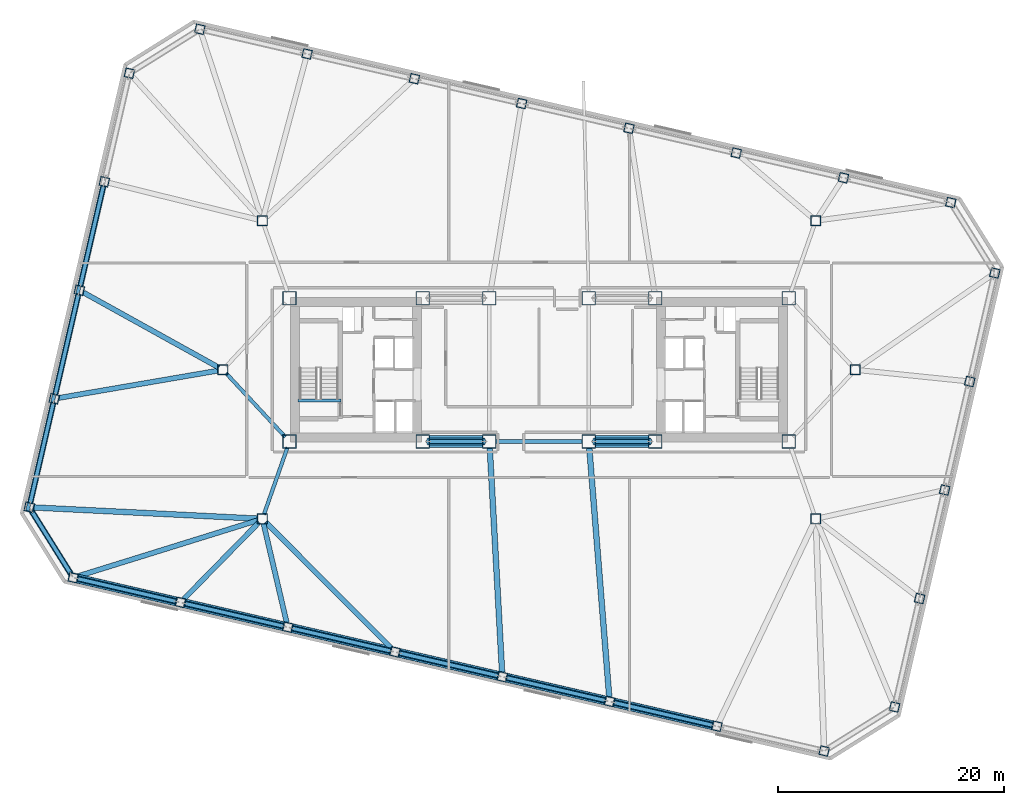
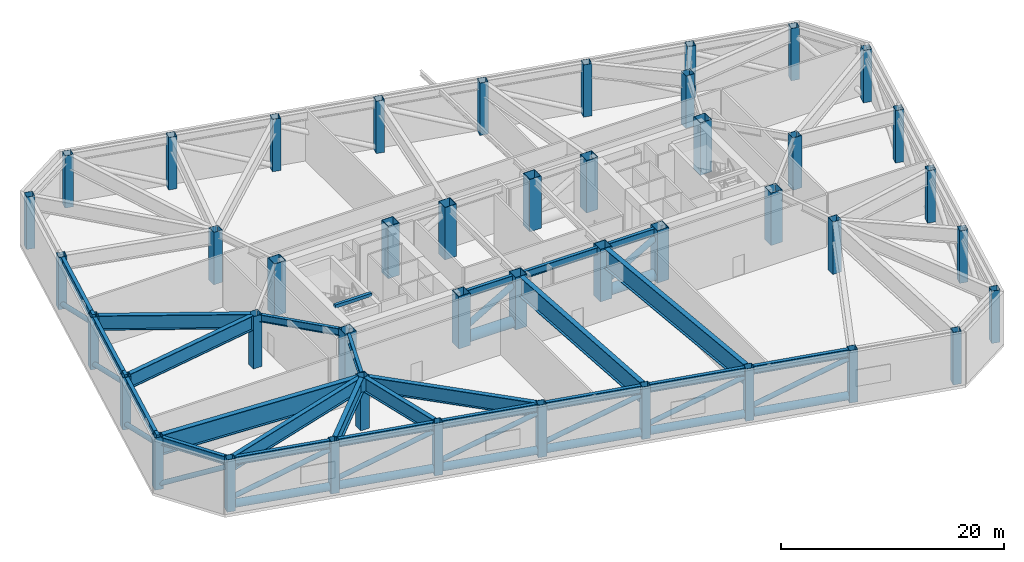
# One storey, part 1 of 15: 44 columns, 25 beams, 23 members.
"""IFC4 building model written with IfcOpenShell, lengths in metres."""

from ifc_helpers import new_model, si_unit, direction, frame, origin, origin_2d, place, context, subcontext, project, spatial, rectangle, hollow_rectangle, hollow_circle, i_section, extrude, material, material_profile, profile_set, type_object, element, save


model = new_model("IFC4")

# Units and contexts
model_context = context("Model", 3, precision=1e-05, world=origin(), true_north=direction((0.0, 1.0)))
body_context = subcontext(model_context, "Body", "Model", "MODEL_VIEW")
ifc_project = project(units=[si_unit("LENGTHUNIT", "METRE"), si_unit("AREAUNIT", "SQUARE_METRE"), si_unit("VOLUMEUNIT", "CUBIC_METRE"), si_unit("PLANEANGLEUNIT", "RADIAN"), si_unit("MASSUNIT", "GRAM", prefix="KILO")], contexts=[model_context])

# Site, building, storey
site_placement = place(None, origin())
site = spatial("IfcSite", under=ifc_project, at=site_placement, CompositionType="ELEMENT")
building_placement = place(site_placement, origin())
building = spatial("IfcBuilding", under=site, at=building_placement, Name="Tavrogorsk Clinical Tower", CompositionType="ELEMENT")
storey_placement = place(building_placement, frame((0.0, 0.0, 33.39990234375)))
storey = spatial("IfcBuildingStorey", under=building, at=storey_placement, Name="L06", CompositionType="ELEMENT", Elevation=33.39990234375)

# Columns
ifc_material_1 = material(Name="Structural steel S440", Category="steel")
ifc_material_profile_1 = material_profile(ifc_material_1, hollow_rectangle(XDim=1.199951171875, YDim=1.199951171875, WallThickness=0.050048828125, at=origin_2d()), Name="BOX-1200x1200x50")
ifc_profile_set_1 = profile_set([ifc_material_profile_1], Name="Structural steel S440")
column_type_1 = type_object("IfcColumnType", Name="MegaCol_BOX1200", PredefinedType="COLUMN", material=ifc_profile_set_1)
for number, where, z_axis, x_axis, name in (
    (1, (-22.10009765625, -6.35009765625, 0.0), (0.0, 0.0, 1.0), (1.0, 0.0, 0.0), "L06 Mega Column MC-W1"),
    (2, (-22.10009765625, 6.35009765625, 0.0), (0.0, 0.0, 1.0), (1.0, 0.0, 0.0), "L06 Mega Column MC-W2"),
    (3, (-10.300048828125, -6.35009765625, 0.0), (0.0, 0.0, 1.0), (1.0, 0.0, 0.0), "L06 Mega Column MC-W3"),
    (4, (-10.300048828125, 6.35009765625, 0.0), (0.0, 0.0, 1.0), (1.0, 0.0, 0.0), "L06 Mega Column MC-W4"),
    (5, (10.300048828125, -6.35009765625, 0.0), (0.0, 0.0, 1.0), (1.0, 0.0, 0.0), "L06 Mega Column MC-E1"),
    (6, (10.300048828125, 6.35009765625, 0.0), (0.0, 0.0, 1.0), (1.0, 0.0, 0.0), "L06 Mega Column MC-E2"),
    (7, (22.10009765625, -6.35009765625, 0.0), (0.0, 0.0, 1.0), (1.0, 0.0, 0.0), "L06 Mega Column MC-E3"),
    (8, (22.10009765625, 6.35009765625, 0.0), (0.0, 0.0, 1.0), (1.0, 0.0, 0.0), "L06 Mega Column MC-E4"),
    (9, (-4.39990234375, -6.35009765625, 0.0), (0.0, 0.0, 1.0), (1.0, 0.0, 0.0), "L06 Mega Column MC-C1"),
    (10, (4.39990234375, -6.35009765625, 0.0), (0.0, 0.0, 1.0), (1.0, 0.0, 0.0), "L06 Mega Column MC-C2"),
    (11, (-4.39990234375, 6.35009765625, 0.0), (0.0, 0.0, 1.0), (1.0, 0.0, 0.0), "L06 Mega Column MC-C3"),
    (12, (4.39990234375, 6.35009765625, 0.0), (0.0, 0.0, 1.0), (1.0, 0.0, 0.0), "L06 Mega Column MC-C4"),
):
    element("IfcColumn", number, at=place(storey_placement, frame(where, z_axis=z_axis, x_axis=x_axis)), inside=storey, type_object=column_type_1, Name=name, PredefinedType="COLUMN", context=body_context, shape_type="SweptSolid", body=[
        extrude(hollow_rectangle(XDim=1.199951171875, YDim=1.199951171875, WallThickness=0.050048828125, at=origin_2d()), origin(), (0.0, 0.0, 1.0), 5.739990234375),
    ])
ifc_material_2 = material(Name="Structural steel S440", Category="steel")
ifc_material_profile_2 = material_profile(ifc_material_2, hollow_rectangle(XDim=0.89990234375, YDim=0.89990234375, WallThickness=0.0400390625, at=origin_2d()), Name="BOX-900x900x40")
ifc_profile_set_2 = profile_set([ifc_material_profile_2], Name="Structural steel S440")
column_type_2 = type_object("IfcColumnType", Name="MegaCol_BOX900", PredefinedType="COLUMN", material=ifc_profile_set_2)
for number, where, z_axis, x_axis, name in (
    (13, (-24.5, -13.199951171875, 0.0), (0.0, 0.0, 1.0), (1.0, 0.0, 0.0), "L06 Spine Pilotis Column MC-P1"),
    (14, (24.5, -13.199951171875, 0.0), (0.0, 0.0, 1.0), (1.0, 0.0, 0.0), "L06 Spine Pilotis Column MC-P2"),
    (15, (-24.5, 13.199951171875, 0.0), (0.0, 0.0, 1.0), (1.0, 0.0, 0.0), "L06 Spine Pilotis Column MC-P3"),
    (16, (24.5, 13.199951171875, 0.0), (0.0, 0.0, 1.0), (1.0, 0.0, 0.0), "L06 Spine Pilotis Column MC-P4"),
    (17, (-28.0, 0.0, 0.0), (0.0, 0.0, 1.0), (1.0, 0.0, 0.0), "L06 Spine Pilotis Column MC-P5"),
    (18, (28.0, 0.0, 0.0), (0.0, 0.0, 1.0), (1.0, 0.0, 0.0), "L06 Spine Pilotis Column MC-P6"),
):
    element("IfcColumn", number, at=place(storey_placement, frame(where, z_axis=z_axis, x_axis=x_axis)), inside=storey, type_object=column_type_2, Name=name, PredefinedType="COLUMN", context=body_context, shape_type="SweptSolid", body=[
        extrude(hollow_rectangle(XDim=0.89990234375, YDim=0.89990234375, WallThickness=0.0400390625, at=origin_2d()), origin(), (0.0, 0.0, 1.0), 5.739990234375),
    ])
ifc_material_3 = material(Name="Structural steel S440", Category="steel")
ifc_material_profile_3 = material_profile(ifc_material_3, hollow_rectangle(XDim=0.800048828125, YDim=0.800048828125, WallThickness=0.035888671875, at=origin_2d()), Name="BOX-800x800x36")
ifc_profile_set_3 = profile_set([ifc_material_profile_3], Name="Structural steel S440")
column_type_3 = type_object("IfcColumnType", Name="PerimCol_B1_BOX800", PredefinedType="COLUMN", material=ifc_profile_set_3)
for number, where, z_axis, x_axis, name in (
    (19, (-41.251220703125, -18.406005859375, 0.0), (0.0, 0.0, 1.0), (0.974370064785, -0.224951054344, 0.0), "L06 Perimeter Column S1"),
    (20, (-31.75244140625, -20.598876953125, 0.0), (0.0, 0.0, 1.0), (0.974370064785, -0.224951054344, 0.0), "L06 Perimeter Column S2"),
    (21, (-22.25390625, -22.7919921875, 0.0), (0.0, 0.0, 1.0), (0.974370064785, -0.224951054344, 0.0), "L06 Perimeter Column S3"),
    (22, (-12.755126953125, -24.98486328125, 0.0), (0.0, 0.0, 1.0), (0.974370064785, -0.224951054344, 0.0), "L06 Perimeter Column S4"),
    (23, (-3.25634765625, -27.177734375, 0.0), (0.0, 0.0, 1.0), (0.974370064785, -0.224951054344, 0.0), "L06 Perimeter Column S5"),
    (24, (6.2421875, -29.37060546875, 0.0), (0.0, 0.0, 1.0), (0.974370064785, -0.224951054344, 0.0), "L06 Perimeter Column S6"),
    (25, (15.740966796875, -31.563720703125, 0.0), (0.0, 0.0, 1.0), (0.974370064785, -0.224951054344, 0.0), "L06 Perimeter Column S7"),
    (26, (25.23974609375, -33.756591796875, 0.0), (0.0, 0.0, 1.0), (0.974370064785, -0.224951054344, 0.0), "L06 Perimeter Column S8"),
    (27, (36.451416015625, 14.805908203125, 0.0), (0.0, 0.0, 1.0), (0.974370064785, -0.224951054344, 0.0), "L06 Perimeter Column N1"),
    (28, (26.952392578125, 16.998779296875, 0.0), (0.0, 0.0, 1.0), (0.974370064785, -0.224951054344, 0.0), "L06 Perimeter Column N2"),
    (29, (17.453857421875, 19.19189453125, 0.0), (0.0, 0.0, 1.0), (0.974370064785, -0.224951054344, 0.0), "L06 Perimeter Column N3"),
    (30, (7.955078125, 21.384765625, 0.0), (0.0, 0.0, 1.0), (0.974370064785, -0.224951054344, 0.0), "L06 Perimeter Column N4"),
    (31, (-1.543701171875, 23.577880859375, 0.0), (0.0, 0.0, 1.0), (0.974370064785, -0.224951054344, 0.0), "L06 Perimeter Column N5"),
    (32, (-11.042236328125, 25.770751953125, 0.0), (0.0, 0.0, 1.0), (0.974370064785, -0.224951054344, 0.0), "L06 Perimeter Column N6"),
    (33, (-20.541015625, 27.963623046875, 0.0), (0.0, 0.0, 1.0), (0.974370064785, -0.224951054344, 0.0), "L06 Perimeter Column N7"),
    (34, (-30.039794921875, 30.156494140625, 0.0), (0.0, 0.0, 1.0), (0.974370064785, -0.224951054344, 0.0), "L06 Perimeter Column N8"),
    (35, (31.476318359375, -29.859619140625, 0.0), (0.0, 0.0, 1.0), (0.974370064785, -0.224951054344, 0.0), "L06 Perimeter Column E1"),
    (36, (33.694091796875, -20.25244140625, 0.0), (0.0, 0.0, 1.0), (0.974370064785, -0.224951054344, 0.0), "L06 Perimeter Column E2"),
    (37, (35.912109375, -10.64501953125, 0.0), (0.0, 0.0, 1.0), (0.974370064785, -0.224951054344, 0.0), "L06 Perimeter Column E3"),
    (38, (38.130126953125, -1.037841796875, 0.0), (0.0, 0.0, 1.0), (0.974370064785, -0.224951054344, 0.0), "L06 Perimeter Column E4"),
    (39, (40.348388671875, 8.569580078125, 0.0), (0.0, 0.0, 1.0), (0.974370064785, -0.224951054344, 0.0), "L06 Perimeter Column E5"),
    (40, (-36.276123046875, 26.259765625, 0.0), (0.0, 0.0, 1.0), (0.974370064785, -0.224951054344, 0.0), "L06 Perimeter Column W1"),
    (41, (-38.494140625, 16.65234375, 0.0), (0.0, 0.0, 1.0), (0.974370064785, -0.224951054344, 0.0), "L06 Perimeter Column W2"),
    (42, (-40.712158203125, 7.045166015625, 0.0), (0.0, 0.0, 1.0), (0.974370064785, -0.224951054344, 0.0), "L06 Perimeter Column W3"),
    (43, (-42.93017578125, -2.562255859375, 0.0), (0.0, 0.0, 1.0), (0.974370064785, -0.224951054344, 0.0), "L06 Perimeter Column W4"),
    (44, (-45.148193359375, -12.16943359375, 0.0), (0.0, 0.0, 1.0), (0.974370064785, -0.224951054344, 0.0), "L06 Perimeter Column W5"),
):
    element("IfcColumn", number, at=place(storey_placement, frame(where, z_axis=z_axis, x_axis=x_axis)), inside=storey, type_object=column_type_3, Name=name, PredefinedType="COLUMN", context=body_context, shape_type="SweptSolid", body=[
        extrude(hollow_rectangle(XDim=0.800048828125, YDim=0.800048828125, WallThickness=0.035888671875, at=origin_2d()), origin(), (0.0, 0.0, 1.0), 5.739990234375),
    ])

# Members
ifc_material_4 = material(Name="Structural steel S440", Category="steel")
ifc_material_profile_4 = material_profile(ifc_material_4, hollow_circle(Radius=0.25390625, WallThickness=0.02001953125, at=origin_2d()), Name="CHS-508x20")
ifc_profile_set_4 = profile_set([ifc_material_profile_4], Name="Structural steel S440")
member_type_1 = type_object("IfcMemberType", Name="ExoBrace_CHS508", PredefinedType="BRACE", material=ifc_profile_set_4)
member_1_placement = place(storey_placement, frame((-40.877685546875, -18.4921875, 1.389404296875), z_axis=(0.915855167794, -0.211449460711, 0.341318673954), x_axis=(0.22495876588, 0.974368284405, 0.0)))
element("IfcMember", 45, at=member_1_placement, inside=storey, type_object=member_type_1, Name="L06 Exoskeleton Belt Diagonal S1-S2", PredefinedType="BRACE", context=body_context, shape_type="SweptSolid", body=[
    extrude(hollow_circle(Radius=0.25390625, WallThickness=0.02001953125, at=origin_2d()), origin(), (0.0, 0.0, 1.0), 9.555419921875),
])
for number, where, z_axis, x_axis, name in (
    (46, (-31.37890625, -20.68505859375, 1.389404296875), (0.915851048797, -0.2114544087, 0.341326660926), (0.224964724143, 0.974366908762, 0.0), "L06 Exoskeleton Belt Diagonal S2-S3"),
    (47, (-21.880126953125, -22.878173828125, 1.389404296875), (0.915855996631, -0.211430000617, 0.341328504924), (0.224938916819, 0.974372866874, 0.0), "L06 Exoskeleton Belt Diagonal S3-S4"),
):
    element("IfcMember", number, at=place(storey_placement, frame(where, z_axis=z_axis, x_axis=x_axis)), inside=storey, type_object=member_type_1, Name=name, PredefinedType="BRACE", context=body_context, shape_type="SweptSolid", body=[
        extrude(hollow_circle(Radius=0.25390625, WallThickness=0.02001953125, at=origin_2d()), origin(), (0.0, 0.0, 1.0), 9.55517578125),
    ])
for number, where, z_axis, x_axis, name in (
    (48, (-12.381591796875, -25.071044921875, 1.389404296875), (0.915855167794, -0.211449460711, 0.341318673954), (0.22495876588, 0.974368284405, 0.0), "L06 Exoskeleton Belt Diagonal S4-S5"),
    (49, (-2.8828125, -27.26416015625, 1.389404296875), (0.915860115419, -0.211425053147, 0.341320517823), (0.224932959166, 0.974374242209, 0.0), "L06 Exoskeleton Belt Diagonal S5-S6"),
    (50, (6.615966796875, -29.45703125, 1.389404296875), (0.915855167794, -0.211449460711, 0.341318673954), (0.22495876588, 0.974368284405, 0.0), "L06 Exoskeleton Belt Diagonal S6-S7"),
):
    element("IfcMember", number, at=place(storey_placement, frame(where, z_axis=z_axis, x_axis=x_axis)), inside=storey, type_object=member_type_1, Name=name, PredefinedType="BRACE", context=body_context, shape_type="SweptSolid", body=[
        extrude(hollow_circle(Radius=0.25390625, WallThickness=0.02001953125, at=origin_2d()), origin(), (0.0, 0.0, 1.0), 9.555419921875),
    ])
for number, where, z_axis, x_axis, name in (
    (51, (-38.577880859375, 16.289794921875, 0.517578125), (-0.205103710433, -0.888449004997, 0.410598141114), (0.974372685922, -0.22493970065, 0.0), "L06 Exoskeleton Belt Diagonal W2-W3"),
    (52, (-40.7958984375, 6.6826171875, 0.517578125), (-0.205103710433, -0.888449004997, 0.410598141114), (0.974372685922, -0.22493970065, 0.0), "L06 Exoskeleton Belt Diagonal W3-W4"),
    (53, (-43.013916015625, -2.9248046875, 0.517578125), (-0.205127102983, -0.888444554848, 0.410596084471), (0.974366815739, -0.224965127047, 0.0), "L06 Exoskeleton Belt Diagonal W4-W5"),
):
    element("IfcMember", number, at=place(storey_placement, frame(where, z_axis=z_axis, x_axis=x_axis)), inside=storey, type_object=member_type_1, Name=name, PredefinedType="BRACE", context=body_context, shape_type="SweptSolid", body=[
        extrude(hollow_circle(Radius=0.25390625, WallThickness=0.02001953125, at=origin_2d()), origin(), (0.0, 0.0, 1.0), 9.99755859375),
    ])
member_2_placement = place(storey_placement, frame((-44.963134765625, -12.4658203125, 0.56103515625), z_axis=(0.453659268925, -0.725993006991, 0.516843710921), x_axis=(0.848043639765, 0.529926395884, 0.0)))
element("IfcMember", 54, at=member_2_placement, inside=storey, type_object=member_type_1, Name="L06 Exoskeleton Belt Diagonal W5-S1", PredefinedType="BRACE", context=body_context, shape_type="SweptSolid", body=[
    extrude(hollow_circle(Radius=0.25390625, WallThickness=0.02001953125, at=origin_2d()), origin(), (0.0, 0.0, 1.0), 7.774169921875),
])
ifc_material_5 = material(Name="Structural steel S440", Category="steel")
ifc_material_profile_5 = material_profile(ifc_material_5, hollow_circle(Radius=0.406494140625, WallThickness=0.031982421875, at=origin_2d()), Name="CHS-813x32")
ifc_profile_set_5 = profile_set([ifc_material_profile_5], Name="Structural steel S440")
member_type_2 = type_object("IfcMemberType", Name="ExoChord_CHS813", PredefinedType="CHORD", material=ifc_profile_set_5)
for number, where, z_axis, x_axis, name in (
    (55, (-40.853759765625, -18.497802734375, 0.580078125), (0.974372766602, -0.224939351168, 0.0), (0.224939351168, 0.974372766602, 0.0), "L06 Exoskeleton Belt Chord S1-S2"),
    (56, (-31.35498046875, -20.690673828125, 0.580078125), (0.974366775889, -0.224965299645, 0.0), (0.224965299645, 0.974366775889, 0.0), "L06 Exoskeleton Belt Chord S2-S3"),
    (57, (-21.8564453125, -22.8837890625, 0.580078125), (0.974372766602, -0.224939351168, 0.0), (0.224939351168, 0.974372766602, 0.0), "L06 Exoskeleton Belt Chord S3-S4"),
    (58, (-12.357666015625, -25.07666015625, 0.580078125), (0.974372766602, -0.224939351168, 0.0), (0.224939351168, 0.974372766602, 0.0), "L06 Exoskeleton Belt Chord S4-S5"),
    (59, (-2.85888671875, -27.26953125, 0.580078125), (0.974372766602, -0.224939351168, 0.0), (0.224939351168, 0.974372766602, 0.0), "L06 Exoskeleton Belt Chord S5-S6"),
    (60, (6.639892578125, -29.46240234375, 0.580078125), (0.974366775889, -0.224965299645, 0.0), (0.224965299645, 0.974366775889, 0.0), "L06 Exoskeleton Belt Chord S6-S7"),
):
    element("IfcMember", number, at=place(storey_placement, frame(where, z_axis=z_axis, x_axis=x_axis)), inside=storey, type_object=member_type_2, Name=name, PredefinedType="CHORD", context=body_context, shape_type="SweptSolid", body=[
        extrude(hollow_circle(Radius=0.406494140625, WallThickness=0.031982421875, at=origin_2d()), origin(), (0.0, 0.0, 1.0), 8.9326171875),
    ])
ifc_material_6 = material(Name="Precast concrete B45 with limestone cladding", Category="masonry")
ifc_material_profile_6 = material_profile(ifc_material_6, rectangle(XDim=0.320068359375, YDim=0.719970703125, at=origin_2d()), Name="LIMESTONE-FIN-320x720")
ifc_profile_set_6 = profile_set([ifc_material_profile_6], Name="Precast concrete B45 with limestone cladding")
member_type_3 = type_object("IfcMemberType", Name="LimestonePleatFin_320x720", PredefinedType="USERDEFINED", material=ifc_profile_set_6)
for number, where, z_axis, x_axis, name in (
    (61, (-40.7900390625, 7.06298828125, 0.0), (0.0, 0.0, 1.0), (0.974370064785, -0.224951054344, 0.0), "L06 W Pleated Stone Fin 2"),
    (62, (-43.008056640625, -2.544189453125, 0.0), (0.0, 0.0, 1.0), (0.974370064785, -0.224951054344, 0.0), "L06 W Pleated Stone Fin 3"),
    (63, (-45.226318359375, -12.151611328125, 0.0), (0.0, 0.0, 1.0), (0.974370064785, -0.224951054344, 0.0), "L06 W Pleated Stone Fin 4"),
):
    element("IfcMember", number, at=place(storey_placement, frame(where, z_axis=z_axis, x_axis=x_axis)), inside=storey, type_object=member_type_3, Name=name, ObjectType="FIN", PredefinedType="USERDEFINED", context=body_context, shape_type="SweptSolid", body=[
        extrude(rectangle(XDim=0.320068359375, YDim=0.719970703125, at=origin_2d()), origin(), (0.0, 0.0, 1.0), 6.0),
    ])
ifc_material_7 = material(Name="Structural steel S440", Category="steel")
ifc_material_profile_7 = material_profile(ifc_material_7, hollow_circle(Radius=0.550048828125, WallThickness=0.0400390625, at=origin_2d()), Name="CHS-1100x40")
ifc_profile_set_7 = profile_set([ifc_material_profile_7], Name="Structural steel S440")
member_type_4 = type_object("IfcMemberType", Name="OutriggerChord_CHS1100", PredefinedType="CHORD", material=ifc_profile_set_7)
for number, where, z_axis, x_axis, name in (
    (64, (-9.739990234375, -6.35009765625, 0.580078125), (1.0, 0.0, 0.0), (0.0, 1.0, 0.0), "L06 Outrigger Bottom Chord 01"),
    (65, (4.9599609375, -6.35009765625, 0.580078125), (1.0, 0.0, 0.0), (0.0, 1.0, 0.0), "L06 Outrigger Bottom Chord 03"),
):
    element("IfcMember", number, at=place(storey_placement, frame(where, z_axis=z_axis, x_axis=x_axis)), inside=storey, type_object=member_type_4, Name=name, PredefinedType="CHORD", context=body_context, shape_type="SweptSolid", body=[
        extrude(hollow_circle(Radius=0.550048828125, WallThickness=0.0400390625, at=origin_2d()), origin(), (0.0, 0.0, 1.0), 4.780029296875),
    ])
ifc_material_8 = material(Name="Structural steel S440", Category="steel")
ifc_material_profile_8 = material_profile(ifc_material_8, hollow_circle(Radius=0.304931640625, WallThickness=0.02490234375, at=origin_2d()), Name="CHS-610x25")
ifc_profile_set_8 = profile_set([ifc_material_profile_8], Name="Structural steel S440")
member_type_5 = type_object("IfcMemberType", Name="OutriggerDiag_CHS610", PredefinedType="BRACE", material=ifc_profile_set_8)
for number, where, z_axis, x_axis, name in (
    (66, (-9.815185546875, -6.35009765625, 1.76025390625), (0.865794908079, 0.0, 0.50039901793), (0.0, 1.0, 0.0), "L06 Outrigger Diagonal 01"),
    (67, (4.884765625, -6.35009765625, 1.76025390625), (0.865794908079, 0.0, 0.50039901793), (0.0, 1.0, 0.0), "L06 Outrigger Diagonal 03"),
):
    element("IfcMember", number, at=place(storey_placement, frame(where, z_axis=z_axis, x_axis=x_axis)), inside=storey, type_object=member_type_5, Name=name, PredefinedType="BRACE", context=body_context, shape_type="SweptSolid", body=[
        extrude(hollow_circle(Radius=0.304931640625, WallThickness=0.02490234375, at=origin_2d()), origin(), (0.0, 0.0, 1.0), 5.694580078125),
    ])

# Beams
ifc_material_9 = material(Name="Structural steel S390", Category="steel")
ifc_material_profile_9 = material_profile(ifc_material_9, i_section(OverallWidth=0.320068359375, OverallDepth=0.800048828125, WebThickness=0.02001953125, FlangeThickness=0.033935546875, at=origin_2d()), Name="B-800x320x20x34")
ifc_profile_set_9 = profile_set([ifc_material_profile_9], Name="Structural steel S390")
beam_type_1 = type_object("IfcBeamType", Name="PrimaryGirder_B800", PredefinedType="USERDEFINED", material=ifc_profile_set_9)
beam_1_placement = place(storey_placement, frame((-9.739990234375, -6.35009765625, 5.340087890625), z_axis=(1.0, 0.0, 0.0), x_axis=(0.0, 1.0, 0.0)))
element("IfcBeam", 68, at=beam_1_placement, inside=storey, type_object=beam_type_1, Name="L06 Primary Spine Girder MG-01", ObjectType="GIRDER", PredefinedType="USERDEFINED", context=body_context, shape_type="SweptSolid", body=[
    extrude(i_section(OverallWidth=0.320068359375, OverallDepth=0.800048828125, WebThickness=0.02001953125, FlangeThickness=0.033935546875, at=origin_2d()), origin(), (0.0, 0.0, 1.0), 4.780029296875),
])
beam_2_placement = place(storey_placement, frame((-3.840087890625, -6.35009765625, 5.340087890625), z_axis=(1.0, 0.0, 0.0), x_axis=(0.0, 1.0, 0.0)))
element("IfcBeam", 69, at=beam_2_placement, inside=storey, type_object=beam_type_1, Name="L06 Primary Spine Girder MG-03", ObjectType="GIRDER", PredefinedType="USERDEFINED", context=body_context, shape_type="SweptSolid", body=[
    extrude(i_section(OverallWidth=0.320068359375, OverallDepth=0.800048828125, WebThickness=0.02001953125, FlangeThickness=0.033935546875, at=origin_2d()), origin(), (0.0, 0.0, 1.0), 7.68017578125),
])
beam_3_placement = place(storey_placement, frame((4.9599609375, -6.35009765625, 5.340087890625), z_axis=(1.0, 0.0, 0.0), x_axis=(0.0, 1.0, 0.0)))
element("IfcBeam", 70, at=beam_3_placement, inside=storey, type_object=beam_type_1, Name="L06 Primary Spine Girder MG-05", ObjectType="GIRDER", PredefinedType="USERDEFINED", context=body_context, shape_type="SweptSolid", body=[
    extrude(i_section(OverallWidth=0.320068359375, OverallDepth=0.800048828125, WebThickness=0.02001953125, FlangeThickness=0.033935546875, at=origin_2d()), origin(), (0.0, 0.0, 1.0), 4.780029296875),
])
beam_4_placement = place(storey_placement, frame((-24.364501953125, -12.81298828125, 5.340087890625), z_axis=(0.330668611543, 0.943746930771, 0.0), x_axis=(-0.943746930771, 0.330668611543, 0.0)))
element("IfcBeam", 71, at=beam_4_placement, inside=storey, type_object=beam_type_1, Name="L06 Spine Link Girder OPG-1", ObjectType="GIRDER", PredefinedType="USERDEFINED", context=body_context, shape_type="SweptSolid", body=[
    extrude(i_section(OverallWidth=0.320068359375, OverallDepth=0.800048828125, WebThickness=0.02001953125, FlangeThickness=0.033935546875, at=origin_2d()), origin(), (0.0, 0.0, 1.0), 6.288330078125),
])
beam_5_placement = place(storey_placement, frame((-27.720947265625, -0.30029296875, 5.340087890625), z_axis=(0.680671250221, -0.732589004233, 0.0), x_axis=(0.732589004233, 0.680671250221, 0.0)))
element("IfcBeam", 72, at=beam_5_placement, inside=storey, type_object=beam_type_1, Name="L06 Spine Link Girder OPG-5", ObjectType="GIRDER", PredefinedType="USERDEFINED", context=body_context, shape_type="SweptSolid", body=[
    extrude(i_section(OverallWidth=0.320068359375, OverallDepth=0.800048828125, WebThickness=0.02001953125, FlangeThickness=0.033935546875, at=origin_2d()), origin(), (0.0, 0.0, 1.0), 7.697998046875),
])
ifc_material_10 = material(Name="Concrete B60", Category="concrete")
ifc_material_profile_10 = material_profile(ifc_material_10, rectangle(XDim=0.300048828125, YDim=0.35009765625, at=origin_2d()), Name="RC-SHB-300x350")
ifc_profile_set_10 = profile_set([ifc_material_profile_10], Name="Concrete B60")
beam_type_2 = type_object("IfcBeamType", Name="StairHeaderBeam_RC300x350", PredefinedType="BEAM", material=ifc_profile_set_10)
beam_6_placement = place(storey_placement, frame((-21.35009765625, -2.719970703125, 5.8251953125), z_axis=(1.0, 0.0, 0.0), x_axis=(0.0, 1.0, 0.0)))
element("IfcBeam", 73, at=beam_6_placement, inside=storey, type_object=beam_type_2, Name="L07 ST-W Landing Header Beam", PredefinedType="BEAM", context=body_context, shape_type="SweptSolid", body=[
    extrude(rectangle(XDim=0.300048828125, YDim=0.35009765625, at=origin_2d()), origin(), (0.0, 0.0, 1.0), 3.800048828125),
])
ifc_material_11 = material(Name="Structural steel S440", Category="steel")
ifc_material_profile_11 = material_profile(ifc_material_11, i_section(OverallWidth=0.449951171875, OverallDepth=1.60009765625, WebThickness=0.031982421875, FlangeThickness=0.050048828125, at=origin_2d()), Name="DK-1600x450x32x50")
ifc_profile_set_11 = profile_set([ifc_material_profile_11], Name="Structural steel S440")
beam_type_3 = type_object("IfcBeamType", Name="TransferGirder_DK1600", PredefinedType="USERDEFINED", material=ifc_profile_set_11)
beam_7_placement = place(storey_placement, frame((-24.8916015625, -13.32177734375, 4.940185546875), z_axis=(-0.954946638684, -0.296777555193, 0.0), x_axis=(0.296777555193, -0.954946638684, 0.0)))
element("IfcBeam", 74, at=beam_7_placement, inside=storey, type_object=beam_type_3, Name="L06 Radial Floor Beam S1", ObjectType="GIRDER", PredefinedType="USERDEFINED", context=body_context, shape_type="SweptSolid", body=[
    extrude(i_section(OverallWidth=0.449951171875, OverallDepth=1.60009765625, WebThickness=0.031982421875, FlangeThickness=0.050048828125, at=origin_2d()), origin(), (0.0, 0.0, 1.0), 16.723388671875),
])
beam_8_placement = place(storey_placement, frame((-24.787109375, -13.492919921875, 4.940185546875), z_axis=(-0.699997226081, -0.714145561828, 0.0), x_axis=(0.714145561828, -0.699997226081, 0.0)))
element("IfcBeam", 75, at=beam_8_placement, inside=storey, type_object=beam_type_3, Name="L06 Radial Floor Beam S2", ObjectType="GIRDER", PredefinedType="USERDEFINED", context=body_context, shape_type="SweptSolid", body=[
    extrude(i_section(OverallWidth=0.449951171875, OverallDepth=1.60009765625, WebThickness=0.031982421875, FlangeThickness=0.050048828125, at=origin_2d()), origin(), (0.0, 0.0, 1.0), 9.54248046875),
])
beam_9_placement = place(storey_placement, frame((-24.406494140625, -13.59912109375, 4.940185546875), z_axis=(0.227996771429, -0.973661888038, 0.0), x_axis=(0.973661888038, 0.227996771429, 0.0)))
element("IfcBeam", 76, at=beam_9_placement, inside=storey, type_object=beam_type_3, Name="L06 Radial Floor Beam S3", ObjectType="GIRDER", PredefinedType="USERDEFINED", context=body_context, shape_type="SweptSolid", body=[
    extrude(i_section(OverallWidth=0.449951171875, OverallDepth=1.60009765625, WebThickness=0.031982421875, FlangeThickness=0.050048828125, at=origin_2d()), origin(), (0.0, 0.0, 1.0), 9.033447265625),
])
beam_10_placement = place(storey_placement, frame((-24.210693359375, -13.490478515625, 4.940185546875), z_axis=(0.705909757155, -0.70830178226, 0.0), x_axis=(0.70830178226, 0.705909757155, 0.0)))
element("IfcBeam", 77, at=beam_10_placement, inside=storey, type_object=beam_type_3, Name="L06 Radial Floor Beam S4", ObjectType="GIRDER", PredefinedType="USERDEFINED", context=body_context, shape_type="SweptSolid", body=[
    extrude(i_section(OverallWidth=0.449951171875, OverallDepth=1.60009765625, WebThickness=0.031982421875, FlangeThickness=0.050048828125, at=origin_2d()), origin(), (0.0, 0.0, 1.0), 15.820068359375),
])
beam_11_placement = place(storey_placement, frame((-28.358642578125, 0.19873046875, 4.940185546875), z_axis=(-0.874654711976, 0.484746464472, 0.0), x_axis=(-0.484746464472, -0.874654711976, 0.0)))
element("IfcBeam", 78, at=beam_11_placement, inside=storey, type_object=beam_type_3, Name="L06 Radial Floor Beam W3", ObjectType="GIRDER", PredefinedType="USERDEFINED", context=body_context, shape_type="SweptSolid", body=[
    extrude(i_section(OverallWidth=0.449951171875, OverallDepth=1.60009765625, WebThickness=0.031982421875, FlangeThickness=0.050048828125, at=origin_2d()), origin(), (0.0, 0.0, 1.0), 13.7158203125),
])
beam_12_placement = place(storey_placement, frame((-28.404052734375, -0.0693359375, 4.940185546875), z_axis=(-0.985592408786, -0.169137824698, 0.0), x_axis=(0.169137824698, -0.985592408786, 0.0)))
element("IfcBeam", 79, at=beam_12_placement, inside=storey, type_object=beam_type_3, Name="L06 Radial Floor Beam W4", ObjectType="GIRDER", PredefinedType="USERDEFINED", context=body_context, shape_type="SweptSolid", body=[
    extrude(i_section(OverallWidth=0.449951171875, OverallDepth=1.60009765625, WebThickness=0.031982421875, FlangeThickness=0.050048828125, at=origin_2d()), origin(), (0.0, 0.0, 1.0), 14.33056640625),
])
ifc_material_12 = material(Name="Structural steel S440", Category="steel")
ifc_material_profile_12 = material_profile(ifc_material_12, i_section(OverallWidth=0.5, OverallDepth=2.199951171875, WebThickness=0.035888671875, FlangeThickness=0.054931640625, at=origin_2d()), Name="DK-2200x500x36x55")
ifc_profile_set_12 = profile_set([ifc_material_profile_12], Name="Structural steel S440")
beam_type_4 = type_object("IfcBeamType", Name="TransferGirder_DK2200", PredefinedType="USERDEFINED", material=ifc_profile_set_12)
beam_13_placement = place(storey_placement, frame((-4.369384765625, -6.9091796875, 4.64013671875), z_axis=(0.054826938013, -0.998495872234, 0.0), x_axis=(0.998495872234, 0.054826938013, 0.0)))
element("IfcBeam", 80, at=beam_13_placement, inside=storey, type_object=beam_type_4, Name="L06 Radial Floor Beam S5", ObjectType="GIRDER", PredefinedType="USERDEFINED", context=body_context, shape_type="SweptSolid", body=[
    extrude(i_section(OverallWidth=0.5, OverallDepth=2.199951171875, WebThickness=0.035888671875, FlangeThickness=0.054931640625, at=origin_2d()), origin(), (0.0, 0.0, 1.0), 19.891357421875),
])
beam_14_placement = place(storey_placement, frame((4.444580078125, -6.908203125, 4.64013671875), z_axis=(0.079775043579, -0.996812892384, 0.0), x_axis=(0.996812892384, 0.079775043579, 0.0)))
element("IfcBeam", 81, at=beam_14_placement, inside=storey, type_object=beam_type_4, Name="L06 Radial Floor Beam S6", ObjectType="GIRDER", PredefinedType="USERDEFINED", context=body_context, shape_type="SweptSolid", body=[
    extrude(i_section(OverallWidth=0.5, OverallDepth=2.199951171875, WebThickness=0.035888671875, FlangeThickness=0.054931640625, at=origin_2d()), origin(), (0.0, 0.0, 1.0), 22.12646484375),
])
beam_15_placement = place(storey_placement, frame((-24.909423828125, -13.179443359375, 4.64013671875), z_axis=(-0.998757515428, 0.049833978136, 0.0), x_axis=(-0.049833978136, -0.998757515428, 0.0)))
element("IfcBeam", 82, at=beam_15_placement, inside=storey, type_object=beam_type_4, Name="L06 Radial Floor Beam W5", ObjectType="GIRDER", PredefinedType="USERDEFINED", context=body_context, shape_type="SweptSolid", body=[
    extrude(i_section(OverallWidth=0.5, OverallDepth=2.199951171875, WebThickness=0.035888671875, FlangeThickness=0.054931640625, at=origin_2d()), origin(), (0.0, 0.0, 1.0), 19.85595703125),
])
ifc_material_13 = material(Name="Structural steel S440", Category="steel")
ifc_material_profile_13 = material_profile(ifc_material_13, i_section(OverallWidth=0.360107421875, OverallDepth=0.89990234375, WebThickness=0.02392578125, FlangeThickness=0.0400390625, at=origin_2d()), Name="DK-900x360x24x40")
ifc_profile_set_13 = profile_set([ifc_material_profile_13], Name="Structural steel S440")
beam_type_5 = type_object("IfcBeamType", Name="TransferGirder_DK900", PredefinedType="USERDEFINED", material=ifc_profile_set_13)
for number, where, z_axis, x_axis, name in (
    (83, (-40.853759765625, -18.497802734375, 5.2900390625), (0.974372766602, -0.224939351168, 0.0), (0.224939351168, 0.974372766602, 0.0), "L06 Perimeter Spandrel S1-S2"),
    (84, (-31.35498046875, -20.690673828125, 5.2900390625), (0.974366775889, -0.224965299645, 0.0), (0.224965299645, 0.974366775889, 0.0), "L06 Perimeter Spandrel S2-S3"),
    (85, (-21.8564453125, -22.8837890625, 5.2900390625), (0.974372766602, -0.224939351168, 0.0), (0.224939351168, 0.974372766602, 0.0), "L06 Perimeter Spandrel S3-S4"),
    (86, (-12.357666015625, -25.07666015625, 5.2900390625), (0.974372766602, -0.224939351168, 0.0), (0.224939351168, 0.974372766602, 0.0), "L06 Perimeter Spandrel S4-S5"),
    (87, (-2.85888671875, -27.26953125, 5.2900390625), (0.974372766602, -0.224939351168, 0.0), (0.224939351168, 0.974372766602, 0.0), "L06 Perimeter Spandrel S5-S6"),
    (88, (6.639892578125, -29.46240234375, 5.2900390625), (0.974366775889, -0.224965299645, 0.0), (0.224965299645, 0.974366775889, 0.0), "L06 Perimeter Spandrel S6-S7"),
):
    element("IfcBeam", number, at=place(storey_placement, frame(where, z_axis=z_axis, x_axis=x_axis)), inside=storey, type_object=beam_type_5, Name=name, ObjectType="GIRDER", PredefinedType="USERDEFINED", context=body_context, shape_type="SweptSolid", body=[
        extrude(i_section(OverallWidth=0.360107421875, OverallDepth=0.89990234375, WebThickness=0.02392578125, FlangeThickness=0.0400390625, at=origin_2d()), origin(), (0.0, 0.0, 1.0), 8.9326171875),
    ])
beam_16_placement = place(storey_placement, frame((-38.5859375, 16.2548828125, 5.2900390625), z_axis=(-0.224946252597, -0.974371173343, 0.0), x_axis=(0.974371173343, -0.224946252597, 0.0)))
element("IfcBeam", 89, at=beam_16_placement, inside=storey, type_object=beam_type_5, Name="L06 Perimeter Spandrel W2-W3", ObjectType="GIRDER", PredefinedType="USERDEFINED", context=body_context, shape_type="SweptSolid", body=[
    extrude(i_section(OverallWidth=0.360107421875, OverallDepth=0.89990234375, WebThickness=0.02392578125, FlangeThickness=0.0400390625, at=origin_2d()), origin(), (0.0, 0.0, 1.0), 9.0439453125),
])
beam_17_placement = place(storey_placement, frame((-40.803955078125, 6.6474609375, 5.2900390625), z_axis=(-0.224952169462, -0.974369807339, 0.0), x_axis=(0.974369807339, -0.224952169462, 0.0)))
element("IfcBeam", 90, at=beam_17_placement, inside=storey, type_object=beam_type_5, Name="L06 Perimeter Spandrel W3-W4", ObjectType="GIRDER", PredefinedType="USERDEFINED", context=body_context, shape_type="SweptSolid", body=[
    extrude(i_section(OverallWidth=0.360107421875, OverallDepth=0.89990234375, WebThickness=0.02392578125, FlangeThickness=0.0400390625, at=origin_2d()), origin(), (0.0, 0.0, 1.0), 9.043701171875),
])
beam_18_placement = place(storey_placement, frame((-43.02197265625, -2.959716796875, 5.2900390625), z_axis=(-0.224971881043, -0.974365256328, 0.0), x_axis=(0.974365256328, -0.224971881043, 0.0)))
element("IfcBeam", 91, at=beam_18_placement, inside=storey, type_object=beam_type_5, Name="L06 Perimeter Spandrel W4-W5", ObjectType="GIRDER", PredefinedType="USERDEFINED", context=body_context, shape_type="SweptSolid", body=[
    extrude(i_section(OverallWidth=0.360107421875, OverallDepth=0.89990234375, WebThickness=0.02392578125, FlangeThickness=0.0400390625, at=origin_2d()), origin(), (0.0, 0.0, 1.0), 9.044189453125),
])
beam_19_placement = place(storey_placement, frame((-44.93212890625, -12.515380859375, 5.2900390625), z_axis=(0.529908311255, -0.848054940238, 0.0), x_axis=(0.848054940238, 0.529908311255, 0.0)))
element("IfcBeam", 92, at=beam_19_placement, inside=storey, type_object=beam_type_5, Name="L06 Perimeter Spandrel W5-S1", ObjectType="GIRDER", PredefinedType="USERDEFINED", context=body_context, shape_type="SweptSolid", body=[
    extrude(i_section(OverallWidth=0.360107421875, OverallDepth=0.89990234375, WebThickness=0.02392578125, FlangeThickness=0.0400390625, at=origin_2d()), origin(), (0.0, 0.0, 1.0), 6.5380859375),
])

save(model, "model.ifc")
